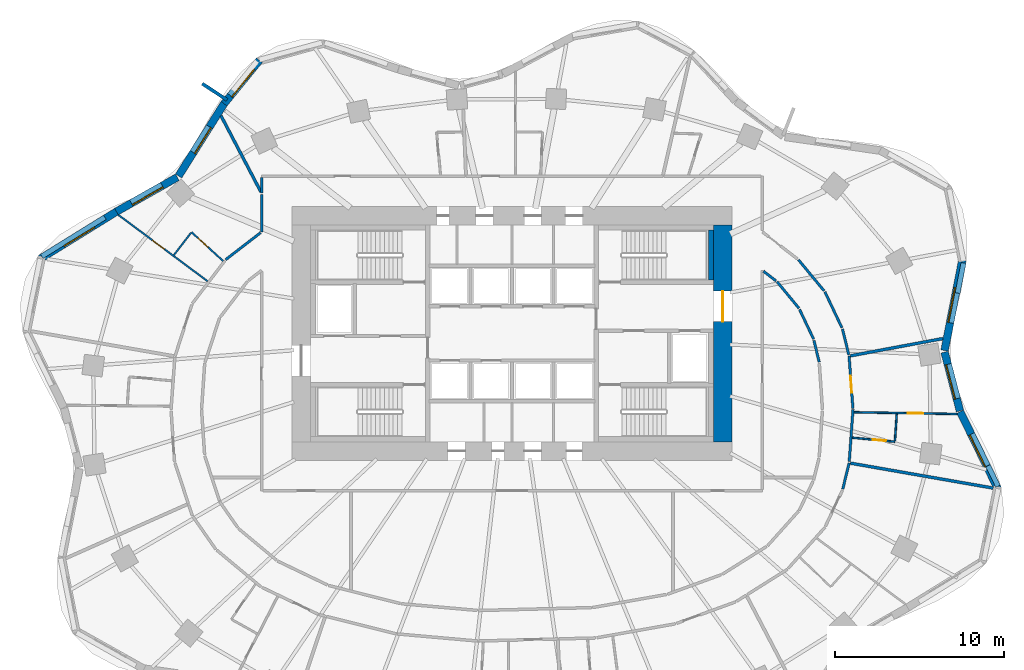
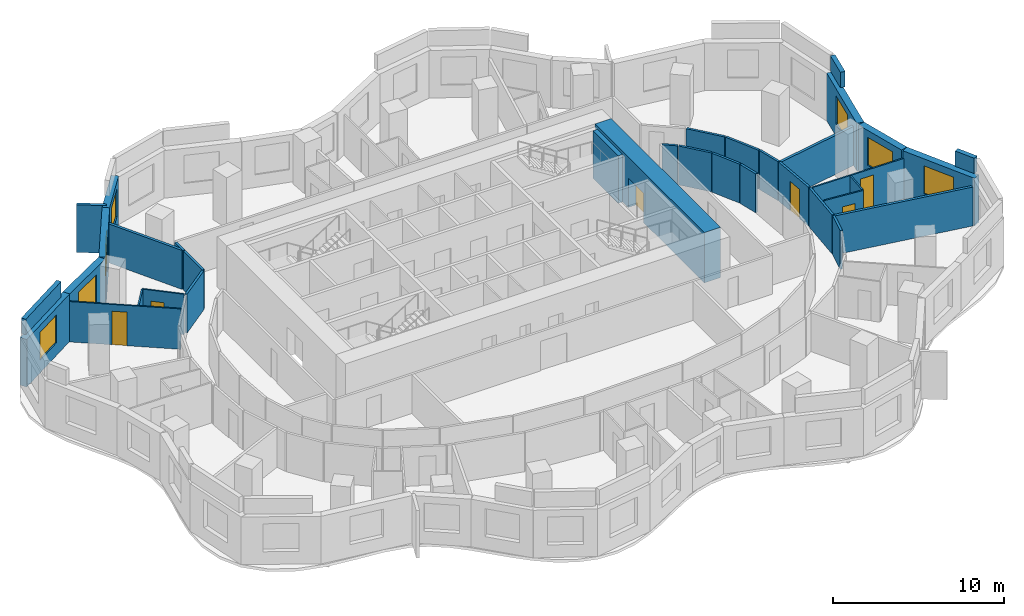
# One storey, part 7 of 10: 35 walls, 7 windows, 6 doors, 13 openings.
"""IFC4 building model written with IfcOpenShell, lengths in metres."""

from ifc_helpers import new_model, si_unit, direction, frame, frame_2d, origin, place, context, subcontext, project, spatial, rectangle, extrude, material, layer, layer_set, type_object, element, fill, save


model = new_model("IFC4")

# Units and contexts
model_context = context("Model", 3, precision=1e-05, world=origin(), true_north=direction((0.0, 1.0)))
body_context = subcontext(model_context, "Body", "Model", "MODEL_VIEW")
ifc_project = project(units=[si_unit("LENGTHUNIT", "METRE"), si_unit("AREAUNIT", "SQUARE_METRE"), si_unit("VOLUMEUNIT", "CUBIC_METRE"), si_unit("PLANEANGLEUNIT", "RADIAN"), si_unit("MASSUNIT", "GRAM", prefix="KILO")], contexts=[model_context])

# Site, building, storey
site_placement = place(None, origin())
site = spatial("IfcSite", under=ifc_project, at=site_placement, CompositionType="ELEMENT")
building_placement = place(site_placement, origin())
building = spatial("IfcBuilding", under=site, at=building_placement, Name="Rubra Terraces Tower", CompositionType="ELEMENT")
storey_placement = place(building_placement, frame((0.0, 0.0, 96.0)))
storey = spatial("IfcBuildingStorey", under=building, at=storey_placement, Name="L22", CompositionType="ELEMENT", Elevation=96.0)

# Walls
ifc_material_1 = material(Name="Twin plasterboard on staggered steel stud, acoustic mineral wool", Category="steel")
ifc_layer_1 = layer(ifc_material_1, 0.175048828125)
ifc_layer_set_1 = layer_set([ifc_layer_1], Name="Twin plasterboard on staggered steel stud, acoustic mineral wool")
wall_type_1 = type_object("IfcWallType", Name="ACOUSTIC PARTY WALL 175", PredefinedType="PARTITIONING", material=ifc_layer_set_1)
wall_1_placement = place(storey_placement, frame((-17.19287109375, 17.35986328125, 0.0), z_axis=(0.0, 0.0, 1.0), x_axis=(0.46402494572, -0.885822132118, 0.0)))
element("IfcWall", 1, at=wall_1_placement, inside=storey, type_object=wall_type_1, Name="PARTITION", PredefinedType="PARTITIONING", context=body_context, shape_type="SweptSolid", body=[
    extrude(rectangle(XDim=5.08203125, YDim=0.175048828125, at=frame_2d((2.541015625, 0.0))), origin(), (0.0, 0.0, 1.0), 2.783935546875),
])
wall_2_placement = place(storey_placement, frame((28.435791015625, -4.63818359375, 0.0), z_axis=(0.0, 0.0, 1.0), x_axis=(-0.985072773891, 0.172138404023, 0.0)))
element("IfcWall", 2, at=wall_2_placement, inside=storey, type_object=wall_type_1, Name="PARTITION", PredefinedType="PARTITIONING", context=body_context, shape_type="SweptSolid", body=[
    extrude(rectangle(XDim=8.56787109375, YDim=0.175048828125, at=frame_2d((4.283935546875, 0.0))), origin(), (0.0, 0.0, 1.0), 2.783935546875),
])
wall_3_placement = place(storey_placement, frame((25.466796875, 4.198974609375, 0.0), z_axis=(0.0, 0.0, 1.0), x_axis=(-0.982999998107, -0.183605565608, 0.0)))
element("IfcWall", 3, at=wall_3_placement, inside=storey, type_object=wall_type_1, Name="PARTITION", PredefinedType="PARTITIONING", context=body_context, shape_type="SweptSolid", body=[
    extrude(rectangle(XDim=5.56884765625, YDim=0.175048828125, at=frame_2d((2.784423828125, 0.0))), origin(), (0.0, 0.0, 1.0), 2.783935546875),
])

# Wall, opening, window
ifc_material_2 = material(Name="Brick masonry red-brown", Category="masonry")
ifc_layer_2 = layer(ifc_material_2, 0.449951171875)
ifc_layer_set_2 = layer_set([ifc_layer_2], Name="Brick masonry red-brown")
wall_type_2 = type_object("IfcWallType", Name="Brick facade wall 450", PredefinedType="SOLIDWALL", material=ifc_layer_set_2)
wall_4_placement = place(storey_placement, frame((26.469482421875, -0.0791015625, 0.0), z_axis=(0.0, 0.0, 1.0), x_axis=(-0.252446779859, 0.967610780913, 0.0)))
wall_4 = element("IfcWall", 4, at=wall_4_placement, inside=storey, type_object=wall_type_2, Name="Facade wall L22 bay 1", PredefinedType="SOLIDWALL", context=body_context, shape_type="SweptSolid", body=[
    extrude(rectangle(XDim=3.5947265625, YDim=0.449951171875, at=frame_2d((1.79736328125, 0.0))), origin(), (0.0, 0.0, 1.0), 3.39990234375),
])
opening_1_placement = place(wall_4_placement, frame((0.747314453125, 0.0, 0.89990234375)))
opening_1 = element("IfcOpeningElement", 5, at=opening_1_placement, cuts=wall_4, Name="Opening W1", PredefinedType="OPENING", context=body_context, shape_type="SweptSolid", body=[
    extrude(rectangle(XDim=2.10009765625, YDim=2.0, at=frame_2d((1.050048828125, 1.0))), frame((0.0, 0.23486328125, 0.0), z_axis=(0.0, -1.0, 0.0), x_axis=(1.0, 0.0, 0.0)), (0.0, 0.0, 1.0), 0.469970703125),
])
ifc_material_3 = material(Name="Clear glass in aluminium frame", Category="aluminium")
window_type_1 = type_object("IfcWindowType", Name="Fixed deep-set window 2100 x 2000", PartitioningType="SINGLE_PANEL", PredefinedType="WINDOW", material=ifc_material_3)
window_1_placement = place(opening_1_placement, origin())
window_1 = element("IfcWindow", 6, at=window_1_placement, inside=storey, type_object=window_type_1, Name="Window L22 bay 1", OverallHeight=2.0, OverallWidth=2.10009765625, PartitioningType="SINGLE_PANEL", PredefinedType="WINDOW", context=body_context, shape_type="SweptSolid", body=[
    extrude(rectangle(XDim=2.10009765625, YDim=2.0, at=frame_2d((1.050048828125, 1.0))), frame((0.0, 0.135009765625, 0.0), z_axis=(0.0, -1.0, 0.0), x_axis=(1.0, 0.0, 0.0)), (0.0, 0.0, 1.0), 0.06005859375),
])
fill(opening_1, window_1)

wall_5_placement = place(storey_placement, frame((25.561279296875, 3.490478515625, 0.0), z_axis=(0.0, 0.0, 1.0), x_axis=(0.192494026297, 0.981298145234, 0.0)))
wall_5 = element("IfcWall", 7, at=wall_5_placement, inside=storey, type_object=wall_type_2, Name="Facade wall L22 bay 2", PredefinedType="SOLIDWALL", context=body_context, shape_type="SweptSolid", body=[
    extrude(rectangle(XDim=5.446044921875, YDim=0.449951171875, at=frame_2d((2.72314453125, 0.0))), origin(), (0.0, 0.0, 1.0), 3.39990234375),
])
opening_2_placement = place(wall_5_placement, frame((1.673095703125, 0.0, 0.89990234375)))
opening_2 = element("IfcOpeningElement", 8, at=opening_2_placement, cuts=wall_5, Name="Opening W1", PredefinedType="OPENING", context=body_context, shape_type="SweptSolid", body=[
    extrude(rectangle(XDim=2.10009765625, YDim=2.0, at=frame_2d((1.050048828125, 1.0))), frame((0.0, 0.23486328125, 0.0), z_axis=(0.0, -1.0, 0.0), x_axis=(1.0, 0.0, 0.0)), (0.0, 0.0, 1.0), 0.469970703125),
])
window_2_placement = place(opening_2_placement, origin())
window_2 = element("IfcWindow", 9, at=window_2_placement, inside=storey, type_object=window_type_1, Name="Window L22 bay 2", OverallHeight=2.0, OverallWidth=2.10009765625, PartitioningType="SINGLE_PANEL", PredefinedType="WINDOW", context=body_context, shape_type="SweptSolid", body=[
    extrude(rectangle(XDim=2.10009765625, YDim=2.0, at=frame_2d((1.050048828125, 1.0))), frame((0.0, 0.135009765625, 0.0), z_axis=(0.0, -1.0, 0.0), x_axis=(1.0, 0.0, 0.0)), (0.0, 0.0, 1.0), 0.06005859375),
])
fill(opening_2, window_2)

wall_6_placement = place(storey_placement, frame((-14.925537109375, 20.640869140625, 0.0), z_axis=(0.0, 0.0, 1.0), x_axis=(-0.631548074669, -0.775336720001, 0.0)))
wall_6 = element("IfcWall", 10, at=wall_6_placement, inside=storey, type_object=wall_type_2, Name="Facade wall L22 bay 15", PredefinedType="SOLIDWALL", context=body_context, shape_type="SweptSolid", body=[
    extrude(rectangle(XDim=3.3076171875, YDim=0.449951171875, at=frame_2d((1.65380859375, 0.0))), origin(), (0.0, 0.0, 1.0), 3.39990234375),
])
opening_3_placement = place(wall_6_placement, frame((0.603759765625, 0.0, 0.89990234375)))
opening_3 = element("IfcOpeningElement", 11, at=opening_3_placement, cuts=wall_6, Name="Opening W1", PredefinedType="OPENING", context=body_context, shape_type="SweptSolid", body=[
    extrude(rectangle(XDim=2.10009765625, YDim=2.0, at=frame_2d((1.050048828125, 1.0))), frame((0.0, 0.23486328125, 0.0), z_axis=(0.0, -1.0, 0.0), x_axis=(1.0, 0.0, 0.0)), (0.0, 0.0, 1.0), 0.469970703125),
])
window_3_placement = place(opening_3_placement, origin())
window_3 = element("IfcWindow", 12, at=window_3_placement, inside=storey, type_object=window_type_1, Name="Window L22 bay 15", OverallHeight=2.0, OverallWidth=2.10009765625, PartitioningType="SINGLE_PANEL", PredefinedType="WINDOW", context=body_context, shape_type="SweptSolid", body=[
    extrude(rectangle(XDim=2.10009765625, YDim=2.0, at=frame_2d((1.050048828125, 1.0))), frame((0.0, 0.135009765625, 0.0), z_axis=(0.0, -1.0, 0.0), x_axis=(1.0, 0.0, 0.0)), (0.0, 0.0, 1.0), 0.06005859375),
])
fill(opening_3, window_3)

wall_7_placement = place(storey_placement, frame((-16.998291015625, 18.0986328125, 0.0), z_axis=(0.0, 0.0, 1.0), x_axis=(-0.532745661304, -0.846275404559, 0.0)))
wall_7 = element("IfcWall", 13, at=wall_7_placement, inside=storey, type_object=wall_type_2, Name="Facade wall L22 bay 16", PredefinedType="SOLIDWALL", context=body_context, shape_type="SweptSolid", body=[
    extrude(rectangle(XDim=5.076171875, YDim=0.449951171875, at=frame_2d((2.5380859375, 0.0))), origin(), (0.0, 0.0, 1.0), 3.39990234375),
])
opening_4_placement = place(wall_7_placement, frame((1.63818359375, 0.0, 0.89990234375)))
opening_4 = element("IfcOpeningElement", 14, at=opening_4_placement, cuts=wall_7, Name="Opening W6", PredefinedType="OPENING", context=body_context, shape_type="SweptSolid", body=[
    extrude(rectangle(XDim=1.800048828125, YDim=2.0, at=frame_2d((0.89990234375, 1.0))), frame((0.0, 0.23486328125, 0.0), z_axis=(0.0, -1.0, 0.0), x_axis=(1.0, 0.0, 0.0)), (0.0, 0.0, 1.0), 0.469970703125),
])
window_type_2 = type_object("IfcWindowType", Name="Fixed deep-set window at wind fin 1800 x 2000", PartitioningType="SINGLE_PANEL", PredefinedType="WINDOW", material=ifc_material_3)
window_4_placement = place(opening_4_placement, origin())
window_4 = element("IfcWindow", 15, at=window_4_placement, inside=storey, type_object=window_type_2, Name="Window L22 bay 16", OverallHeight=2.0, OverallWidth=1.800048828125, PartitioningType="SINGLE_PANEL", PredefinedType="WINDOW", context=body_context, shape_type="SweptSolid", body=[
    extrude(rectangle(XDim=1.800048828125, YDim=2.0, at=frame_2d((0.89990234375, 1.0))), frame((0.0, 0.135009765625, 0.0), z_axis=(0.0, -1.0, 0.0), x_axis=(1.0, 0.0, 0.0)), (0.0, 0.0, 1.0), 0.06005859375),
])
fill(opening_4, window_4)

wall_8_placement = place(storey_placement, frame((-19.77587890625, 13.730712890625, 0.0), z_axis=(0.0, 0.0, 1.0), x_axis=(-0.870610133829, -0.491973571318, 0.0)))
wall_8 = element("IfcWall", 16, at=wall_8_placement, inside=storey, type_object=wall_type_2, Name="Facade wall L22 bay 17", PredefinedType="SOLIDWALL", context=body_context, shape_type="SweptSolid", body=[
    extrude(rectangle(XDim=4.1337890625, YDim=0.449951171875, at=frame_2d((2.06689453125, 0.0))), origin(), (0.0, 0.0, 1.0), 3.39990234375),
])
opening_5_placement = place(wall_8_placement, frame((1.016845703125, 0.0, 0.89990234375)))
opening_5 = element("IfcOpeningElement", 17, at=opening_5_placement, cuts=wall_8, Name="Opening W1", PredefinedType="OPENING", context=body_context, shape_type="SweptSolid", body=[
    extrude(rectangle(XDim=2.10009765625, YDim=2.0, at=frame_2d((1.050048828125, 1.0))), frame((0.0, 0.23486328125, 0.0), z_axis=(0.0, -1.0, 0.0), x_axis=(1.0, 0.0, 0.0)), (0.0, 0.0, 1.0), 0.469970703125),
])
window_5_placement = place(opening_5_placement, origin())
window_5 = element("IfcWindow", 18, at=window_5_placement, inside=storey, type_object=window_type_1, Name="Window L22 bay 17", OverallHeight=2.0, OverallWidth=2.10009765625, PartitioningType="SINGLE_PANEL", PredefinedType="WINDOW", context=body_context, shape_type="SweptSolid", body=[
    extrude(rectangle(XDim=2.10009765625, YDim=2.0, at=frame_2d((1.050048828125, 1.0))), frame((0.0, 0.135009765625, 0.0), z_axis=(0.0, -1.0, 0.0), x_axis=(1.0, 0.0, 0.0)), (0.0, 0.0, 1.0), 0.06005859375),
])
fill(opening_5, window_5)

wall_9_placement = place(storey_placement, frame((-23.368408203125, 11.700927734375, 0.0), z_axis=(0.0, 0.0, 1.0), x_axis=(-0.850251408633, -0.526376806211, 0.0)))
wall_9 = element("IfcWall", 19, at=wall_9_placement, inside=storey, type_object=wall_type_2, Name="Facade wall L22 bay 18", PredefinedType="SOLIDWALL", context=body_context, shape_type="SweptSolid", body=[
    extrude(rectangle(XDim=5.30224609375, YDim=0.449951171875, at=frame_2d((2.651123046875, 0.0))), origin(), (0.0, 0.0, 1.0), 3.39990234375),
])
opening_6_placement = place(wall_9_placement, frame((1.601318359375, 0.0, 0.89990234375)))
opening_6 = element("IfcOpeningElement", 20, at=opening_6_placement, cuts=wall_9, Name="Opening W1", PredefinedType="OPENING", context=body_context, shape_type="SweptSolid", body=[
    extrude(rectangle(XDim=2.10009765625, YDim=2.0, at=frame_2d((1.050048828125, 1.0))), frame((0.0, 0.23486328125, 0.0), z_axis=(0.0, -1.0, 0.0), x_axis=(1.0, 0.0, 0.0)), (0.0, 0.0, 1.0), 0.469970703125),
])
window_6_placement = place(opening_6_placement, origin())
window_6 = element("IfcWindow", 21, at=window_6_placement, inside=storey, type_object=window_type_1, Name="Window L22 bay 18", OverallHeight=2.0, OverallWidth=2.10009765625, PartitioningType="SINGLE_PANEL", PredefinedType="WINDOW", context=body_context, shape_type="SweptSolid", body=[
    extrude(rectangle(XDim=2.10009765625, YDim=2.0, at=frame_2d((1.050048828125, 1.0))), frame((0.0, 0.135009765625, 0.0), z_axis=(0.0, -1.0, 0.0), x_axis=(1.0, 0.0, 0.0)), (0.0, 0.0, 1.0), 0.06005859375),
])
fill(opening_6, window_6)

wall_10_placement = place(storey_placement, frame((28.70703125, -4.672119140625, 0.0), z_axis=(0.0, 0.0, 1.0), x_axis=(-0.439053549989, 0.898460895221, 0.0)))
wall_10 = element("IfcWall", 22, at=wall_10_placement, inside=storey, type_object=wall_type_2, Name="Facade wall L22 bay 40", PredefinedType="SOLIDWALL", context=body_context, shape_type="SweptSolid", body=[
    extrude(rectangle(XDim=5.061767578125, YDim=0.449951171875, at=frame_2d((2.53076171875, 0.0))), origin(), (0.0, 0.0, 1.0), 3.39990234375),
])
opening_7_placement = place(wall_10_placement, frame((1.48095703125, 0.0, 0.89990234375)))
opening_7 = element("IfcOpeningElement", 23, at=opening_7_placement, cuts=wall_10, Name="Opening W1", PredefinedType="OPENING", context=body_context, shape_type="SweptSolid", body=[
    extrude(rectangle(XDim=2.10009765625, YDim=2.0, at=frame_2d((1.050048828125, 1.0))), frame((0.0, 0.23486328125, 0.0), z_axis=(0.0, -1.0, 0.0), x_axis=(1.0, 0.0, 0.0)), (0.0, 0.0, 1.0), 0.469970703125),
])
window_7_placement = place(opening_7_placement, origin())
window_7 = element("IfcWindow", 24, at=window_7_placement, inside=storey, type_object=window_type_1, Name="Window L22 bay 40", OverallHeight=2.0, OverallWidth=2.10009765625, PartitioningType="SINGLE_PANEL", PredefinedType="WINDOW", context=body_context, shape_type="SweptSolid", body=[
    extrude(rectangle(XDim=2.10009765625, YDim=2.0, at=frame_2d((1.050048828125, 1.0))), frame((0.0, 0.135009765625, 0.0), z_axis=(0.0, -1.0, 0.0), x_axis=(1.0, 0.0, 0.0)), (0.0, 0.0, 1.0), 0.06005859375),
])
fill(opening_7, window_7)

# Walls
ifc_layer_3 = layer(ifc_material_2, 0.300048828125)
ifc_layer_set_3 = layer_set([ifc_layer_3], Name="Brick masonry red-brown")
wall_type_3 = type_object("IfcWallType", Name="Brick parapet 300", PredefinedType="PARAPET", material=ifc_layer_set_3)
wall_11_placement = place(storey_placement, frame((26.33154296875, 6.888671875, 3.60009765625), z_axis=(0.0, 0.0, 1.0), x_axis=(0.192480725658, 0.981300754229, 0.0)))
element("IfcWall", 25, at=wall_11_placement, inside=storey, type_object=wall_type_3, Name="Parapet L22 bay 2", PredefinedType="PARAPET", context=body_context, shape_type="SweptSolid", body=[
    extrude(rectangle(XDim=1.808837890625, YDim=0.300048828125, at=frame_2d((0.904296875, 0.0))), origin(), (0.0, 0.0, 1.0), 1.099853515625),
])
wall_12_placement = place(storey_placement, frame((-24.05712890625, 11.36279296875, 3.60009765625), z_axis=(0.0, 0.0, 1.0), x_axis=(-0.85023666639, -0.526400618471, 0.0)))
element("IfcWall", 26, at=wall_12_placement, inside=storey, type_object=wall_type_3, Name="Parapet L22 bay 18", PredefinedType="PARAPET", context=body_context, shape_type="SweptSolid", body=[
    extrude(rectangle(XDim=4.384765625, YDim=0.300048828125, at=frame_2d((2.1923828125, 0.0))), origin(), (0.0, 0.0, 1.0), 1.099853515625),
])
wall_13_placement = place(storey_placement, frame((28.719482421875, -4.5263671875, 3.60009765625), z_axis=(0.0, 0.0, 1.0), x_axis=(-0.439122076977, 0.898427404697, 0.0)))
element("IfcWall", 27, at=wall_13_placement, inside=storey, type_object=wall_type_3, Name="Parapet L22 bay 40", PredefinedType="PARAPET", context=body_context, shape_type="SweptSolid", body=[
    extrude(rectangle(XDim=1.3427734375, YDim=0.300048828125, at=frame_2d((0.67138671875, 0.0))), origin(), (0.0, 0.0, 1.0), 1.099853515625),
])
ifc_layer_4 = layer(ifc_material_2, 0.199951171875)
ifc_layer_set_4 = layer_set([ifc_layer_4], Name="Brick masonry red-brown")
wall_type_4 = type_object("IfcWallType", Name="Brick wind fin 200", PredefinedType="SOLIDWALL", material=ifc_layer_set_4)
wall_14_placement = place(storey_placement, frame((-16.837890625, 18.298095703125, 0.0), z_axis=(0.0, 0.0, 1.0), x_axis=(-0.835871900419, 0.548924554097, 0.0)))
element("IfcWall", 28, at=wall_14_placement, inside=storey, type_object=wall_type_4, Name="Wind fin L22 9", PredefinedType="SOLIDWALL", context=body_context, shape_type="SweptSolid", body=[
    extrude(rectangle(XDim=1.750244140625, YDim=0.199951171875, at=frame_2d((0.875, 0.0))), origin(), (0.0, 0.0, 1.0), 3.39990234375),
])

# Wall, opening, door
ifc_material_4 = material(Name="Concrete C60", Category="concrete")
ifc_layer_5 = layer(ifc_material_4, 1.10009765625)
ifc_layer_set_5 = layer_set([ifc_layer_5], Name="Concrete C60")
wall_type_5 = type_object("IfcWallType", Name="CORE WALL 1100 C60", PredefinedType="SHEAR", material=ifc_layer_set_5)
wall_15_placement = place(storey_placement, frame((12.449951171875, -1.89990234375, 0.0), z_axis=(0.0, 0.0, 1.0), x_axis=(0.0, 1.0, 0.0)))
wall_15 = element("IfcWall", 29, at=wall_15_placement, inside=storey, type_object=wall_type_5, Name="CORE WALL E L22", PredefinedType="SHEAR", context=body_context, shape_type="SweptSolid", body=[
    extrude(rectangle(XDim=12.7998046875, YDim=1.10009765625, at=frame_2d((6.39990234375, 0.0))), origin(), (0.0, 0.0, 1.0), 3.60009765625),
])
opening_8_placement = place(wall_15_placement, frame((7.10009765625, 0.0, 0.0)))
opening_8 = element("IfcOpeningElement", 30, at=opening_8_placement, cuts=wall_15, Name="Opening L22.C02", PredefinedType="OPENING", context=body_context, shape_type="SweptSolid", body=[
    extrude(rectangle(XDim=1.800048828125, YDim=2.10009765625, at=frame_2d((0.89990234375, 1.050048828125))), frame((0.0, 0.56005859375, 0.0), z_axis=(0.0, -1.0, 0.0), x_axis=(1.0, 0.0, 0.0)), (0.0, 0.0, 1.0), 1.1201171875),
])
ifc_material_5 = material(Name="Painted steel", Category="steel")
door_type_1 = type_object("IfcDoorType", Name="Fire door 1800x2100 double", OperationType="NOTDEFINED", PredefinedType="DOOR", material=ifc_material_5)
door_1_placement = place(opening_8_placement, origin())
door_1 = element("IfcDoor", 31, at=door_1_placement, inside=storey, type_object=door_type_1, Name="Core entrance door FF2", OperationType="DOUBLE_DOOR_SINGLE_SWING", OverallHeight=2.10009765625, OverallWidth=1.800048828125, PredefinedType="DOOR", context=body_context, shape_type="SweptSolid", body=[
    extrude(rectangle(XDim=1.800048828125, YDim=2.10009765625, at=frame_2d((0.89990234375, 1.050048828125))), frame((0.0, 0.02490234375, 0.0), z_axis=(0.0, -1.0, 0.0), x_axis=(1.0, 0.0, 0.0)), (0.0, 0.0, 1.0), 0.050048828125),
])
fill(opening_8, door_1)

# Walls
ifc_material_6 = material(Name="Plasterboard on steel stud, mineral wool infill", Category="steel")
ifc_layer_6 = layer(ifc_material_6, 0.14990234375)
ifc_layer_set_6 = layer_set([ifc_layer_6], Name="Plasterboard on steel stud, mineral wool infill")
wall_type_6 = type_object("IfcWallType", Name="CORRIDOR PARTITION 150", PredefinedType="PARTITIONING", material=ifc_layer_set_6)
wall_16_placement = place(storey_placement, frame((-14.800048828125, 13.72509765625, 0.0), z_axis=(0.0, 0.0, 1.0), x_axis=(0.0, -1.0, 0.0)))
element("IfcWall", 32, at=wall_16_placement, inside=storey, type_object=wall_type_6, Name="PARTITION", PredefinedType="PARTITIONING", context=body_context, shape_type="SweptSolid", body=[
    extrude(rectangle(XDim=0.933349609375, YDim=0.14990234375, at=frame_2d((0.466796875, 0.0))), origin(), (0.0, 0.0, 1.0), 2.783935546875),
])
wall_17_placement = place(storey_placement, frame((-14.800048828125, 12.716796875, 0.0), z_axis=(0.0, 0.0, 1.0), x_axis=(0.0, -1.0, 0.0)))
element("IfcWall", 33, at=wall_17_placement, inside=storey, type_object=wall_type_6, Name="PARTITION", PredefinedType="PARTITIONING", context=body_context, shape_type="SweptSolid", body=[
    extrude(rectangle(XDim=2.219970703125, YDim=0.14990234375, at=frame_2d((1.10986328125, 0.0))), origin(), (0.0, 0.0, 1.0), 2.783935546875),
])
wall_18_placement = place(storey_placement, frame((-14.859619140625, 10.451171875, 0.0), z_axis=(0.0, 0.0, 1.0), x_axis=(-0.791542595332, -0.611113999001, 0.0)))
element("IfcWall", 34, at=wall_18_placement, inside=storey, type_object=wall_type_6, Name="PARTITION", PredefinedType="PARTITIONING", context=body_context, shape_type="SweptSolid", body=[
    extrude(rectangle(XDim=2.604736328125, YDim=0.14990234375, at=frame_2d((1.30224609375, 0.0))), origin(), (0.0, 0.0, 1.0), 2.783935546875),
])
wall_19_placement = place(storey_placement, frame((19.54541015625, -4.695556640625, 0.0), z_axis=(0.0, 0.0, 1.0), x_axis=(0.236715862945, 0.971578921257, 0.0)))
element("IfcWall", 35, at=wall_19_placement, inside=storey, type_object=wall_type_6, Name="PARTITION", PredefinedType="PARTITIONING", context=body_context, shape_type="SweptSolid", body=[
    extrude(rectangle(XDim=1.59033203125, YDim=0.14990234375, at=frame_2d((0.795166015625, 0.0))), origin(), (0.0, 0.0, 1.0), 2.783935546875),
])
wall_20_placement = place(storey_placement, frame((19.92724609375, -3.07568359375, 0.0), z_axis=(0.0, 0.0, 1.0), x_axis=(0.071888451482, 0.997412678155, 0.0)))
element("IfcWall", 36, at=wall_20_placement, inside=storey, type_object=wall_type_6, Name="PARTITION", PredefinedType="PARTITIONING", context=body_context, shape_type="SweptSolid", body=[
    extrude(rectangle(XDim=3.083740234375, YDim=0.14990234375, at=frame_2d((1.5419921875, 0.0))), origin(), (0.0, 0.0, 1.0), 2.783935546875),
])

# Wall, opening, door
wall_21_placement = place(storey_placement, frame((20.1435546875, 0.07470703125, 0.0), z_axis=(0.0, 0.0, 1.0), x_axis=(-0.072547105324, 0.997364987108, 0.0)))
wall_21 = element("IfcWall", 37, at=wall_21_placement, inside=storey, type_object=wall_type_6, Name="PARTITION", PredefinedType="PARTITIONING", context=body_context, shape_type="SweptSolid", body=[
    extrude(rectangle(XDim=3.095947265625, YDim=0.14990234375, at=frame_2d((1.5478515625, 0.0))), origin(), (0.0, 0.0, 1.0), 2.783935546875),
])
opening_9_placement = place(wall_21_placement, frame((0.93310546875, 0.0, 0.0)))
opening_9 = element("IfcOpeningElement", 38, at=opening_9_placement, cuts=wall_21, Name="Opening 22-126", PredefinedType="OPENING", context=body_context, shape_type="SweptSolid", body=[
    extrude(rectangle(XDim=1.0, YDim=2.10009765625, at=frame_2d((0.5, 1.050048828125))), frame((0.0, 0.0849609375, 0.0), z_axis=(0.0, -1.0, 0.0), x_axis=(1.0, 0.0, 0.0)), (0.0, 0.0, 1.0), 0.169921875),
])
ifc_material_7 = material(Name="Painted timber door leaf", Category="wood")
door_type_2 = type_object("IfcDoorType", Name="ROOM DOOR 1000 X 2100", OperationType="SINGLE_SWING_LEFT", PredefinedType="DOOR", material=ifc_material_7)
door_2_placement = place(opening_9_placement, origin())
door_2 = element("IfcDoor", 39, at=door_2_placement, inside=storey, type_object=door_type_2, Name="DOOR 22-126", OperationType="SINGLE_SWING_RIGHT", OverallHeight=2.10009765625, OverallWidth=1.0, PredefinedType="DOOR", context=body_context, shape_type="SweptSolid", body=[
    extrude(rectangle(XDim=1.0, YDim=2.10009765625, at=frame_2d((0.5, 1.050048828125))), frame((0.0, 0.02490234375, 0.0), z_axis=(0.0, -1.0, 0.0), x_axis=(1.0, 0.0, 0.0)), (0.0, 0.0, 1.0), 0.050048828125),
])
fill(opening_9, door_2)

# Walls
wall_22_placement = place(storey_placement, frame((19.901123046875, 3.235595703125, 0.0), z_axis=(0.0, 0.0, 1.0), x_axis=(-0.236778045029, 0.971563769082, 0.0)))
element("IfcWall", 40, at=wall_22_placement, inside=storey, type_object=wall_type_6, Name="PARTITION", PredefinedType="PARTITIONING", context=body_context, shape_type="SweptSolid", body=[
    extrude(rectangle(XDim=1.57763671875, YDim=0.14990234375, at=frame_2d((0.788818359375, 0.0))), origin(), (0.0, 0.0, 1.0), 2.783935546875),
])
wall_23_placement = place(storey_placement, frame((19.495361328125, 4.836181640625, 0.0), z_axis=(0.0, 0.0, 1.0), x_axis=(-0.428157819028, 0.903703979191, 0.0)))
element("IfcWall", 41, at=wall_23_placement, inside=storey, type_object=wall_type_6, Name="PARTITION", PredefinedType="PARTITIONING", context=body_context, shape_type="SweptSolid", body=[
    extrude(rectangle(XDim=2.349365234375, YDim=0.14990234375, at=frame_2d((1.1748046875, 0.0))), origin(), (0.0, 0.0, 1.0), 2.783935546875),
])
wall_24_placement = place(storey_placement, frame((18.44189453125, 7.01708984375, 0.0), z_axis=(0.0, 0.0, 1.0), x_axis=(-0.636538018119, 0.7712453251, 0.0)))
element("IfcWall", 42, at=wall_24_placement, inside=storey, type_object=wall_type_6, Name="PARTITION", PredefinedType="PARTITIONING", context=body_context, shape_type="SweptSolid", body=[
    extrude(rectangle(XDim=2.388671875, YDim=0.14990234375, at=frame_2d((1.1943359375, 0.0))), origin(), (0.0, 0.0, 1.0), 2.783935546875),
])
wall_25_placement = place(storey_placement, frame((15.66162109375, 7.557861328125, 0.0), z_axis=(0.0, 0.0, 1.0), x_axis=(0.636500564941, -0.7712762351, 0.0)))
element("IfcWall", 43, at=wall_25_placement, inside=storey, type_object=wall_type_6, Name="PARTITION", PredefinedType="PARTITIONING", context=body_context, shape_type="SweptSolid", body=[
    extrude(rectangle(XDim=2.037841796875, YDim=0.14990234375, at=frame_2d((1.01904296875, 0.0))), origin(), (0.0, 0.0, 1.0), 2.783935546875),
])
wall_26_placement = place(storey_placement, frame((16.990966796875, 5.918212890625, 0.0), z_axis=(0.0, 0.0, 1.0), x_axis=(0.428199863362, -0.903684058185, 0.0)))
element("IfcWall", 44, at=wall_26_placement, inside=storey, type_object=wall_type_6, Name="PARTITION", PredefinedType="PARTITIONING", context=body_context, shape_type="SweptSolid", body=[
    extrude(rectangle(XDim=1.94140625, YDim=0.14990234375, at=frame_2d((0.970703125, 0.0))), origin(), (0.0, 0.0, 1.0), 2.783935546875),
])
wall_27_placement = place(storey_placement, frame((17.840087890625, 4.0908203125, 0.0), z_axis=(0.0, 0.0, 1.0), x_axis=(0.236653741324, -0.971594054489, 0.0)))
element("IfcWall", 45, at=wall_27_placement, inside=storey, type_object=wall_type_6, Name="PARTITION", PredefinedType="PARTITIONING", context=body_context, shape_type="SweptSolid", body=[
    extrude(rectangle(XDim=1.319580078125, YDim=0.14990234375, at=frame_2d((0.65966796875, 0.0))), origin(), (0.0, 0.0, 1.0), 2.783935546875),
])
wall_28_placement = place(storey_placement, frame((14.859375, 8.177001953125, 0.0), z_axis=(0.0, 0.0, 1.0), x_axis=(0.791588113465, -0.611055037309, 0.0)))
element("IfcWall", 46, at=wall_28_placement, inside=storey, type_object=wall_type_6, Name="PARTITION", PredefinedType="PARTITIONING", context=body_context, shape_type="SweptSolid", body=[
    extrude(rectangle(XDim=0.9384765625, YDim=0.14990234375, at=frame_2d((0.46923828125, 0.0))), origin(), (0.0, 0.0, 1.0), 2.783935546875),
])
ifc_material_8 = material(Name="Concrete C40", Category="concrete")
ifc_layer_7 = layer(ifc_material_8, 0.300048828125)
ifc_layer_set_7 = layer_set([ifc_layer_7], Name="Concrete C40")
wall_type_7 = type_object("IfcWallType", Name="Core lining wall 300 concrete", PredefinedType="SOLIDWALL", material=ifc_layer_set_7)
wall_29_placement = place(storey_placement, frame((11.75, 10.60009765625, 0.0), z_axis=(0.0, 0.0, 1.0), x_axis=(0.0, -1.0, 0.0)))
element("IfcWall", 47, at=wall_29_placement, inside=storey, type_object=wall_type_7, Name="CORE LINING WALL L22", PredefinedType="SOLIDWALL", context=body_context, shape_type="SweptSolid", body=[
    extrude(rectangle(XDim=2.9501953125, YDim=0.300048828125, at=frame_2d((1.47509765625, 0.0))), origin(), (0.0, 0.0, 1.0), 3.39990234375),
])

# Wall, opening, door
ifc_material_9 = material(Name="Plasterboard on steel stud", Category="steel")
ifc_layer_8 = layer(ifc_material_9, 0.10009765625)
ifc_layer_set_8 = layer_set([ifc_layer_8], Name="Plasterboard on steel stud")
wall_type_8 = type_object("IfcWallType", Name="ROOM PARTITION 100", PredefinedType="PARTITIONING", material=ifc_layer_set_8)
wall_30_placement = place(storey_placement, frame((-23.256103515625, 11.501220703125, 0.0), z_axis=(0.0, 0.0, 1.0), x_axis=(0.802681816508, -0.596407496136, 0.0)))
wall_30 = element("IfcWall", 48, at=wall_30_placement, inside=storey, type_object=wall_type_8, Name="PARTITION", PredefinedType="PARTITIONING", context=body_context, shape_type="SweptSolid", body=[
    extrude(rectangle(XDim=6.567626953125, YDim=0.10009765625, at=frame_2d((3.28369140625, 0.0))), origin(), (0.0, 0.0, 1.0), 2.884033203125),
])
opening_10_placement = place(wall_30_placement, frame((2.491943359375, 0.0, 0.0)))
opening_10 = element("IfcOpeningElement", 49, at=opening_10_placement, cuts=wall_30, Name="Opening 22-107", PredefinedType="OPENING", context=body_context, shape_type="SweptSolid", body=[
    extrude(rectangle(XDim=0.89990234375, YDim=2.39990234375, at=frame_2d((0.449951171875, 1.199951171875))), frame((0.0, 0.06005859375, 0.0), z_axis=(0.0, -1.0, 0.0), x_axis=(1.0, 0.0, 0.0)), (0.0, 0.0, 1.0), 0.1201171875),
])
ifc_material_10 = material(Name="Veneered timber door leaf, fire-rated", Category="wood")
door_type_3 = type_object("IfcDoorType", Name="SUITE ENTRANCE DOOR 900 X 2400", OperationType="SINGLE_SWING_LEFT", PredefinedType="DOOR", material=ifc_material_10)
door_3_placement = place(opening_10_placement, origin())
door_3 = element("IfcDoor", 50, at=door_3_placement, inside=storey, type_object=door_type_3, Name="DOOR 22-107", OperationType="SINGLE_SWING_LEFT", OverallHeight=2.39990234375, OverallWidth=0.89990234375, PredefinedType="DOOR", context=body_context, shape_type="SweptSolid", body=[
    extrude(rectangle(XDim=0.89990234375, YDim=2.39990234375, at=frame_2d((0.449951171875, 1.199951171875))), frame((0.0, 0.02490234375, 0.0), z_axis=(0.0, -1.0, 0.0), x_axis=(1.0, 0.0, 0.0)), (0.0, 0.0, 1.0), 0.050048828125),
])
fill(opening_10, door_3)

wall_31_placement = place(storey_placement, frame((-17.072021484375, 8.784423828125, 0.0), z_axis=(0.0, 0.0, 1.0), x_axis=(-0.739033715027, 0.673668440743, 0.0)))
wall_31 = element("IfcWall", 51, at=wall_31_placement, inside=storey, type_object=wall_type_8, Name="PARTITION", PredefinedType="PARTITIONING", context=body_context, shape_type="SweptSolid", body=[
    extrude(rectangle(XDim=2.52490234375, YDim=0.10009765625, at=frame_2d((1.262451171875, 0.0))), origin(), (0.0, 0.0, 1.0), 2.884033203125),
])
opening_11_placement = place(wall_31_placement, frame((1.199951171875, 0.0, 0.0)))
opening_11 = element("IfcOpeningElement", 52, at=opening_11_placement, cuts=wall_31, Name="Opening 22-106", PredefinedType="OPENING", context=body_context, shape_type="SweptSolid", body=[
    extrude(rectangle(XDim=0.800048828125, YDim=2.10009765625, at=frame_2d((0.39990234375, 1.050048828125))), frame((0.0, 0.06005859375, 0.0), z_axis=(0.0, -1.0, 0.0), x_axis=(1.0, 0.0, 0.0)), (0.0, 0.0, 1.0), 0.1201171875),
])
door_type_4 = type_object("IfcDoorType", Name="BATHROOM DOOR 800 X 2100", OperationType="SINGLE_SWING_LEFT", PredefinedType="DOOR", material=ifc_material_7)
door_4_placement = place(opening_11_placement, origin())
door_4 = element("IfcDoor", 53, at=door_4_placement, inside=storey, type_object=door_type_4, Name="DOOR 22-106", OperationType="SINGLE_SWING_LEFT", OverallHeight=2.10009765625, OverallWidth=0.800048828125, PredefinedType="DOOR", context=body_context, shape_type="SweptSolid", body=[
    extrude(rectangle(XDim=0.800048828125, YDim=2.10009765625, at=frame_2d((0.39990234375, 1.050048828125))), frame((0.0, 0.02490234375, 0.0), z_axis=(0.0, -1.0, 0.0), x_axis=(1.0, 0.0, 0.0)), (0.0, 0.0, 1.0), 0.050048828125),
])
fill(opening_11, door_4)

# Wall
wall_32_placement = place(storey_placement, frame((-18.968505859375, 10.44580078125, 0.0), z_axis=(0.0, 0.0, 1.0), x_axis=(-0.609696547105, -0.792634922551, 0.0)))
element("IfcWall", 54, at=wall_32_placement, inside=storey, type_object=wall_type_8, Name="PARTITION", PredefinedType="PARTITIONING", context=body_context, shape_type="SweptSolid", body=[
    extrude(rectangle(XDim=1.66015625, YDim=0.10009765625, at=frame_2d((0.830078125, 0.0))), origin(), (0.0, 0.0, 1.0), 2.884033203125),
])

# Wall, opening, door
wall_33_placement = place(storey_placement, frame((26.300537109375, -0.26025390625, 0.0), z_axis=(0.0, 0.0, 1.0), x_axis=(-0.999854069841, 0.017083296585, 0.0)))
wall_33 = element("IfcWall", 55, at=wall_33_placement, inside=storey, type_object=wall_type_8, Name="PARTITION", PredefinedType="PARTITIONING", context=body_context, shape_type="SweptSolid", body=[
    extrude(rectangle(XDim=6.088134765625, YDim=0.10009765625, at=frame_2d((3.0439453125, 0.0))), origin(), (0.0, 0.0, 1.0), 2.884033203125),
])
opening_12_placement = place(wall_33_placement, frame((2.012939453125, 0.0, 0.0)))
opening_12 = element("IfcOpeningElement", 56, at=opening_12_placement, cuts=wall_33, Name="Opening 22-125", PredefinedType="OPENING", context=body_context, shape_type="SweptSolid", body=[
    extrude(rectangle(XDim=0.89990234375, YDim=2.39990234375, at=frame_2d((0.449951171875, 1.199951171875))), frame((0.0, 0.06005859375, 0.0), z_axis=(0.0, -1.0, 0.0), x_axis=(1.0, 0.0, 0.0)), (0.0, 0.0, 1.0), 0.1201171875),
])
door_5_placement = place(opening_12_placement, origin())
door_5 = element("IfcDoor", 57, at=door_5_placement, inside=storey, type_object=door_type_3, Name="DOOR 22-125", OperationType="SINGLE_SWING_LEFT", OverallHeight=2.39990234375, OverallWidth=0.89990234375, PredefinedType="DOOR", context=body_context, shape_type="SweptSolid", body=[
    extrude(rectangle(XDim=0.89990234375, YDim=2.39990234375, at=frame_2d((0.449951171875, 1.199951171875))), frame((0.0, 0.02490234375, 0.0), z_axis=(0.0, -1.0, 0.0), x_axis=(1.0, 0.0, 0.0)), (0.0, 0.0, 1.0), 0.050048828125),
])
fill(opening_12, door_5)

wall_34_placement = place(storey_placement, frame((20.110595703125, -1.65869140625, 0.0), z_axis=(0.0, 0.0, 1.0), x_axis=(0.995500685727, -0.094754338774, 0.0)))
wall_34 = element("IfcWall", 58, at=wall_34_placement, inside=storey, type_object=wall_type_8, Name="PARTITION", PredefinedType="PARTITIONING", context=body_context, shape_type="SweptSolid", body=[
    extrude(rectangle(XDim=2.525146484375, YDim=0.10009765625, at=frame_2d((1.2626953125, 0.0))), origin(), (0.0, 0.0, 1.0), 2.884033203125),
])
opening_13_placement = place(wall_34_placement, frame((1.199951171875, 0.0, 0.0)))
opening_13 = element("IfcOpeningElement", 59, at=opening_13_placement, cuts=wall_34, Name="Opening 22-124", PredefinedType="OPENING", context=body_context, shape_type="SweptSolid", body=[
    extrude(rectangle(XDim=0.800048828125, YDim=2.10009765625, at=frame_2d((0.39990234375, 1.050048828125))), frame((0.0, 0.06005859375, 0.0), z_axis=(0.0, -1.0, 0.0), x_axis=(1.0, 0.0, 0.0)), (0.0, 0.0, 1.0), 0.1201171875),
])
door_6_placement = place(opening_13_placement, origin())
door_6 = element("IfcDoor", 60, at=door_6_placement, inside=storey, type_object=door_type_4, Name="DOOR 22-124", OperationType="SINGLE_SWING_LEFT", OverallHeight=2.10009765625, OverallWidth=0.800048828125, PredefinedType="DOOR", context=body_context, shape_type="SweptSolid", body=[
    extrude(rectangle(XDim=0.800048828125, YDim=2.10009765625, at=frame_2d((0.39990234375, 1.050048828125))), frame((0.0, 0.02490234375, 0.0), z_axis=(0.0, -1.0, 0.0), x_axis=(1.0, 0.0, 0.0)), (0.0, 0.0, 1.0), 0.050048828125),
])
fill(opening_13, door_6)

# Wall
wall_35_placement = place(storey_placement, frame((22.62744140625, -1.84814453125, 0.0), z_axis=(0.0, 0.0, 1.0), x_axis=(0.066883035763, 0.997760822806, 0.0)))
element("IfcWall", 61, at=wall_35_placement, inside=storey, type_object=wall_type_8, Name="PARTITION", PredefinedType="PARTITIONING", context=body_context, shape_type="SweptSolid", body=[
    extrude(rectangle(XDim=1.6025390625, YDim=0.10009765625, at=frame_2d((0.80126953125, 0.0))), origin(), (0.0, 0.0, 1.0), 2.884033203125),
])

save(model, "model.ifc")
